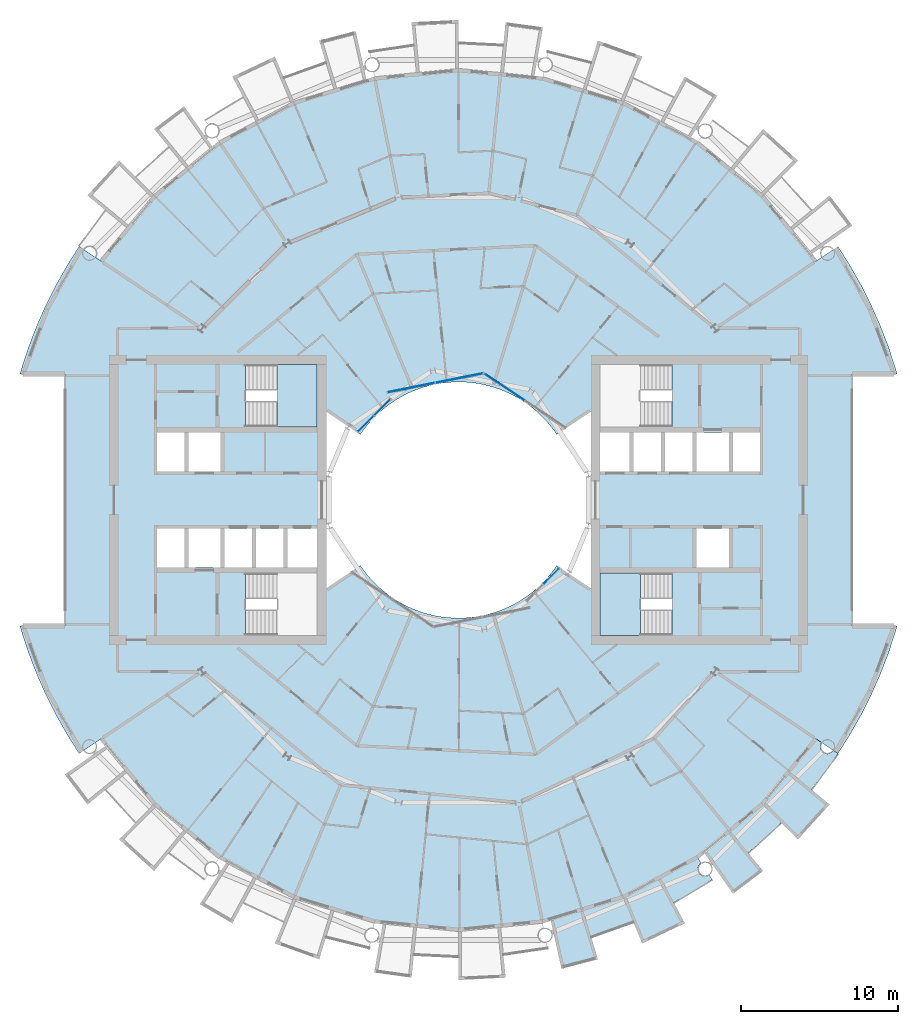
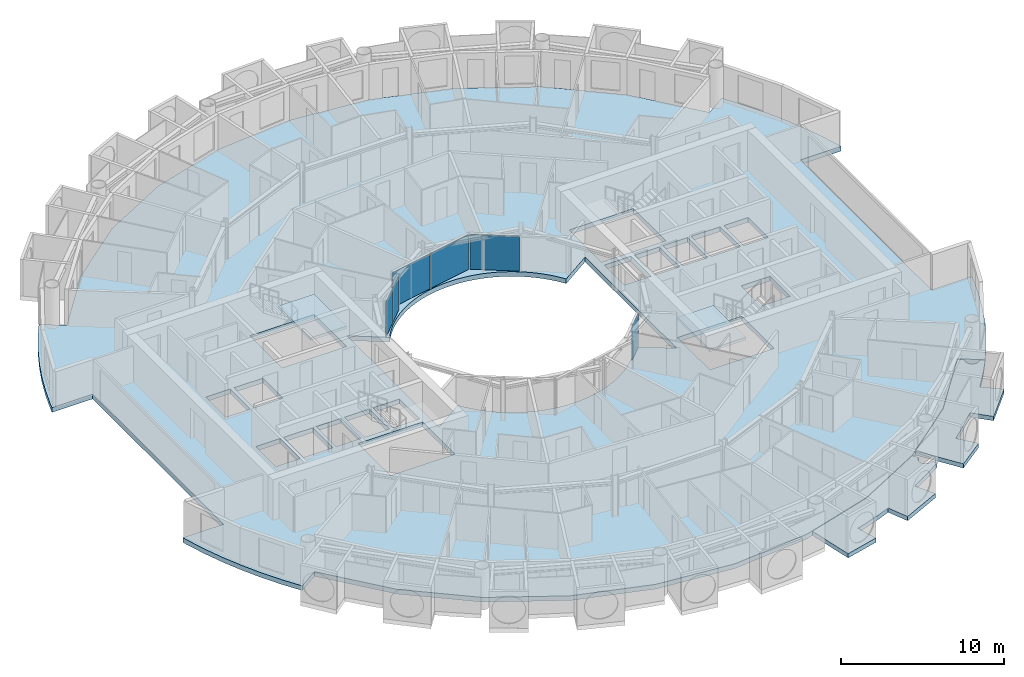
# One storey, part 11 of 27: 6 plates, 5 slabs, 6 elements without a shape of their own.
"""IFC4 building model written with IfcOpenShell, lengths in metres."""

from ifc_helpers import new_model, si_unit, direction, frame, origin, origin_2d, place, context, subcontext, project, spatial, polyline, rectangle, outline, extrude, material, layer, layer_set, type_object, element, aggregate, save


model = new_model("IFC4")

# Units and contexts
model_context = context("Model", 3, precision=1e-05, world=origin(), true_north=direction((0.0, 1.0)))
body_context = subcontext(model_context, "Body", "Model", "MODEL_VIEW")
ifc_project = project(units=[si_unit("LENGTHUNIT", "METRE"), si_unit("AREAUNIT", "SQUARE_METRE"), si_unit("VOLUMEUNIT", "CUBIC_METRE"), si_unit("PLANEANGLEUNIT", "RADIAN"), si_unit("MASSUNIT", "GRAM", prefix="KILO")], contexts=[model_context])

# Site, building, storey
site_placement = place(None, origin())
site = spatial("IfcSite", under=ifc_project, at=site_placement, CompositionType="ELEMENT")
building_placement = place(site_placement, origin())
building = spatial("IfcBuilding", under=site, at=building_placement, Name="Maasbend Ring Residences", CompositionType="ELEMENT")
storey_placement = place(building_placement, frame((0.0, 0.0, 111.64990234375)))
storey = spatial("IfcBuildingStorey", under=building, at=storey_placement, Name="L31", CompositionType="ELEMENT", Elevation=111.64990234375)

# Stair, slab
ifc_material_1 = material(Name="Concrete C40/50", Category="concrete")
stair_type = type_object("IfcStairType", Name="CORE STAIR 18 RISERS", PredefinedType="HALF_TURN_STAIR", material=ifc_material_1)
stair_1_placement = place(storey_placement, origin())
stair_1 = element("IfcStair", 1, at=stair_1_placement, inside=storey, type_object=stair_type, Name="L31 Exit stair ST-E2", PredefinedType="HALF_TURN_STAIR")
ifc_material_2 = material(Name="Concrete C40/50", Category="concrete")
ifc_layer_1 = layer(ifc_material_2, 0.199951171875)
ifc_layer_set_1 = layer_set([ifc_layer_1], Name="Concrete C40/50")
slab_type_1 = type_object("IfcSlabType", Name="CORE STAIR LANDING 200", PredefinedType="LANDING", material=ifc_layer_set_1)
slab_1_placement = place(storey_placement, frame((0.0, 0.0, 1.3251953125)))
slab_1 = element("IfcSlab", 2, at=slab_1_placement, type_object=slab_type_1, Name="ST-E2 landing 1", PredefinedType="LANDING", context=body_context, shape_type="SweptSolid", body=[
    extrude(outline(polyline([(11.550048828125, -4.64990234375), (9.0, -4.64990234375), (9.0, -8.60009765625), (11.550048828125, -8.60009765625), (11.550048828125, -4.64990234375)])), origin(), (0.0, 0.0, 1.0), 0.199951171875),
])
aggregate(stair_1, [slab_1])

stair_2_placement = place(storey_placement, origin())
stair_2 = element("IfcStair", 3, at=stair_2_placement, inside=storey, type_object=stair_type, Name="L31 Exit stair ST-W2", PredefinedType="HALF_TURN_STAIR")
slab_2_placement = place(storey_placement, frame((0.0, 0.0, 1.3251953125)))
slab_2 = element("IfcSlab", 4, at=slab_2_placement, type_object=slab_type_1, Name="ST-W2 landing 1", PredefinedType="LANDING", context=body_context, shape_type="SweptSolid", body=[
    extrude(outline(polyline([(-11.550048828125, 4.64990234375), (-9.0, 4.64990234375), (-9.0, 8.60009765625), (-11.550048828125, 8.60009765625), (-11.550048828125, 4.64990234375)])), origin(), (0.0, 0.0, 1.0), 0.199951171875),
])
aggregate(stair_2, [slab_2])

# Curtain wall, plate
ifc_material_3 = material(Name="Aluminium and clear glass", Category="aluminium")
ifc_layer_2 = layer(ifc_material_3, 0.179931640625)
ifc_layer_set_2 = layer_set([ifc_layer_2], Name="CW-W")
curtain_wall_type = type_object("IfcCurtainWallType", Name="CW-W", PredefinedType="NOTDEFINED", material=ifc_layer_set_2)
curtain_wall_1_placement = place(storey_placement, origin())
curtain_wall_1 = element("IfcCurtainWall", 5, at=curtain_wall_1_placement, inside=storey, type_object=curtain_wall_type, Name="Well curtain wall N1", PredefinedType="NOTDEFINED")
ifc_material_4 = material(Name="Glass clear laminated", Category="glass")
ifc_layer_3 = layer(ifc_material_4, 0.031982421875)
ifc_layer_set_3 = layer_set([ifc_layer_3], Name="CWP-W")
plate_type = type_object("IfcPlateType", Name="CWP-W", PredefinedType="CURTAIN_PANEL", material=ifc_layer_set_3)
plate_1_placement = place(storey_placement, frame((2.922119140625, 7.17578125, 0.0), z_axis=(0.0, 0.0, 1.0), x_axis=(-0.831469612303, 0.55557023302, 0.0)))
plate_1 = element("IfcPlate", 6, at=plate_1_placement, type_object=plate_type, Name="Glass panel well face", PredefinedType="CURTAIN_PANEL", context=body_context, shape_type="SweptSolid", body=[
    extrude(rectangle(XDim=3.053955078125, YDim=0.031982421875, at=origin_2d()), origin(), (0.0, 0.0, 1.0), 2.580078125),
])
aggregate(curtain_wall_1, [plate_1])

# Curtain wall, plates
curtain_wall_2_placement = place(storey_placement, origin())
curtain_wall_2 = element("IfcCurtainWall", 7, at=curtain_wall_2_placement, inside=storey, type_object=curtain_wall_type, Name="Well curtain wall N2", PredefinedType="NOTDEFINED")
plate_2_placement = place(storey_placement, frame((0.04638671875, 7.747802734375, 0.0), z_axis=(0.0, 0.0, 1.0), x_axis=(-0.980785280403, -0.195090322016, 0.0)))
plate_2 = element("IfcPlate", 8, at=plate_2_placement, type_object=plate_type, Name="Glass panel well face", PredefinedType="CURTAIN_PANEL", context=body_context, shape_type="SweptSolid", body=[
    extrude(rectangle(XDim=3.053955078125, YDim=0.031982421875, at=origin_2d()), origin(), (0.0, 0.0, 1.0), 2.580078125),
])
plate_3_placement = place(storey_placement, frame((-3.0078125, 7.140380859375, 0.0), z_axis=(0.0, 0.0, 1.0), x_axis=(-0.980785280403, -0.195090322016, 0.0)))
plate_3 = element("IfcPlate", 9, at=plate_3_placement, type_object=plate_type, Name="Glass panel well face", PredefinedType="CURTAIN_PANEL", context=body_context, shape_type="SweptSolid", body=[
    extrude(rectangle(XDim=3.053955078125, YDim=0.031982421875, at=origin_2d()), origin(), (0.0, 0.0, 1.0), 2.580078125),
])
aggregate(curtain_wall_2, [plate_2, plate_3])

curtain_wall_3_placement = place(storey_placement, origin())
curtain_wall_3 = element("IfcCurtainWall", 10, at=curtain_wall_3_placement, inside=storey, type_object=curtain_wall_type, Name="Well curtain wall N3", PredefinedType="NOTDEFINED")
plate_4_placement = place(storey_placement, frame((-4.84375, 5.89013671875, 0.0), z_axis=(0.0, 0.0, 1.0), x_axis=(-0.707106781187, -0.707106781187, 0.0)))
plate_4 = element("IfcPlate", 11, at=plate_4_placement, type_object=plate_type, Name="Glass panel well face", PredefinedType="CURTAIN_PANEL", context=body_context, shape_type="SweptSolid", body=[
    extrude(rectangle(XDim=1.419677734375, YDim=0.031982421875, at=origin_2d()), origin(), (0.0, 0.0, 1.0), 2.580078125),
])
plate_5_placement = place(storey_placement, frame((-5.89013671875, 4.84375, 0.0), z_axis=(0.0, 0.0, 1.0), x_axis=(-0.707106781187, -0.707106781187, 0.0)))
plate_5 = element("IfcPlate", 12, at=plate_5_placement, type_object=plate_type, Name="Glass panel well face", PredefinedType="CURTAIN_PANEL", context=body_context, shape_type="SweptSolid", body=[
    extrude(rectangle(XDim=1.419677734375, YDim=0.031982421875, at=origin_2d()), origin(), (0.0, 0.0, 1.0), 2.580078125),
])
aggregate(curtain_wall_3, [plate_4, plate_5])

# Curtain wall, plate
curtain_wall_4_placement = place(storey_placement, origin())
curtain_wall_4 = element("IfcCurtainWall", 13, at=curtain_wall_4_placement, inside=storey, type_object=curtain_wall_type, Name="Well curtain wall S3", PredefinedType="NOTDEFINED")
plate_6_placement = place(storey_placement, frame((5.89013671875, -4.84375, 0.0), z_axis=(0.0, 0.0, 1.0), x_axis=(0.707106781187, 0.707106781187, 0.0)))
plate_6 = element("IfcPlate", 14, at=plate_6_placement, type_object=plate_type, Name="Glass panel well face", PredefinedType="CURTAIN_PANEL", context=body_context, shape_type="SweptSolid", body=[
    extrude(rectangle(XDim=1.419677734375, YDim=0.031982421875, at=origin_2d()), origin(), (0.0, 0.0, 1.0), 2.580078125),
])
aggregate(curtain_wall_4, [plate_6])

# Slabs
ifc_material_5 = material(Name="Concrete C40/50", Category="concrete")
ifc_layer_4 = layer(ifc_material_5, 0.35009765625)
ifc_layer_set_4 = layer_set([ifc_layer_4], Name="Concrete C40/50")
slab_type_2 = type_object("IfcSlabType", Name="Post-tensioned flat plate 350", PredefinedType="FLOOR", material=ifc_layer_set_4)
slab_3_placement = place(storey_placement, frame((0.0, 0.0, -0.349853515625)))
element("IfcSlab", 15, at=slab_3_placement, inside=storey, type_object=slab_type_2, Name="Floor slab L31", PredefinedType="FLOOR", context=body_context, shape_type="SweptSolid", body=[
    extrude(outline(polyline([(24.8740234375, -14.908935546875), (25.57568359375, -13.67041015625), (26.2158203125, -12.399169921875), (26.79248046875, -11.097900390625), (27.3046875, -9.769775390625), (27.751220703125, -8.418212890625), (27.866943359375, -8.0), (25.0, -8.0), (25.0, 8.0), (27.866943359375, 8.0), (27.751220703125, 8.418212890625), (27.3046875, 9.769775390625), (26.79248046875, 11.097900390625), (26.2158203125, 12.399169921875), (25.57568359375, 13.67041015625), (24.8740234375, 14.908935546875), (24.112548828125, 16.111572265625), (22.69921875, 15.1669921875), (19.303955078125, 19.303955078125), (15.1669921875, 22.69921875), (10.447265625, 25.221923828125), (5.325927734375, 26.775390625), (0.0, 27.300048828125), (-5.325927734375, 26.775390625), (-10.447265625, 25.221923828125), (-15.1669921875, 22.69921875), (-19.303955078125, 19.303955078125), (-22.69921875, 15.1669921875), (-24.112548828125, 16.111572265625), (-24.8740234375, 14.908935546875), (-25.57568359375, 13.67041015625), (-26.2158203125, 12.399169921875), (-26.79248046875, 11.097900390625), (-27.3046875, 9.769775390625), (-27.751220703125, 8.418212890625), (-27.866943359375, 8.0), (-25.0, 8.0), (-25.0, -8.0), (-27.866943359375, -8.0), (-27.751220703125, -8.418212890625), (-27.3046875, -9.769775390625), (-26.79248046875, -11.097900390625), (-26.2158203125, -12.399169921875), (-25.57568359375, -13.67041015625), (-24.8740234375, -14.908935546875), (-24.112548828125, -16.111572265625), (-22.69921875, -15.1669921875), (-19.303955078125, -19.303955078125), (-15.1669921875, -22.69921875), (-10.447265625, -25.221923828125), (-5.325927734375, -26.775390625), (0.0, -27.300048828125), (5.325927734375, -26.775390625), (10.447265625, -25.221923828125), (15.1669921875, -22.69921875), (19.303955078125, -19.303955078125), (22.69921875, -15.1669921875), (24.112548828125, -16.111572265625), (24.8740234375, -14.908935546875)]), holes=[polyline([(17.425048828125, 4.27490234375), (19.14990234375, 4.27490234375), (19.14990234375, 1.824951171875), (17.425048828125, 1.824951171875), (17.425048828125, 4.27490234375)]), polyline([(15.125, 1.824951171875), (15.125, 4.27490234375), (17.175048828125, 4.27490234375), (17.175048828125, 1.824951171875), (15.125, 1.824951171875)]), polyline([(15.125, -4.27490234375), (15.125, -1.824951171875), (17.175048828125, -1.824951171875), (17.175048828125, -4.27490234375), (15.125, -4.27490234375)]), polyline([(13.125, 1.824951171875), (13.125, 4.27490234375), (14.875, 4.27490234375), (14.875, 1.824951171875), (13.125, 1.824951171875)]), polyline([(13.550048828125, 4.64990234375), (9.0, 4.64990234375), (9.0, 8.60009765625), (13.550048828125, 8.60009765625), (13.550048828125, 4.64990234375)]), polyline([(13.550048828125, -4.64990234375), (13.550048828125, -8.60009765625), (9.0, -8.60009765625), (9.0, -4.64990234375), (13.550048828125, -4.64990234375)]), polyline([(11.125, 1.824951171875), (11.125, 4.27490234375), (12.875, 4.27490234375), (12.875, 1.824951171875), (11.125, 1.824951171875)]), polyline([(9.0, 1.824951171875), (9.0, 4.27490234375), (10.875, 4.27490234375), (10.875, 1.824951171875), (9.0, 1.824951171875)]), polyline([(6.024169921875, 4.4677734375), (6.236083984375, 4.166748046875), (8.39990234375, 5.61279296875), (8.39990234375, -5.61279296875), (6.236083984375, -4.166748046875), (6.024169921875, -4.4677734375), (5.797607421875, -4.7578125), (5.55712890625, -5.03662109375), (5.30322265625, -5.30322265625), (5.03662109375, -5.55712890625), (4.7578125, -5.797607421875), (4.4677734375, -6.024169921875), (4.166748046875, -6.236083984375), (3.855712890625, -6.43310546875), (3.535400390625, -6.614501953125), (3.206787109375, -6.77978515625), (2.8701171875, -6.92919921875), (2.526611328125, -7.0615234375), (2.177001953125, -7.177001953125), (1.822509765625, -7.275146484375), (1.463134765625, -7.35595703125), (1.1005859375, -7.418701171875), (0.735107421875, -7.4638671875), (0.367919921875, -7.490966796875), (0.0, -7.5), (-0.367919921875, -7.490966796875), (-0.735107421875, -7.4638671875), (-1.1005859375, -7.418701171875), (-1.463134765625, -7.35595703125), (-1.822509765625, -7.275146484375), (-2.177001953125, -7.177001953125), (-2.526611328125, -7.0615234375), (-2.8701171875, -6.92919921875), (-3.206787109375, -6.77978515625), (-3.535400390625, -6.614501953125), (-3.855712890625, -6.43310546875), (-4.166748046875, -6.236083984375), (-4.4677734375, -6.024169921875), (-4.7578125, -5.797607421875), (-5.03662109375, -5.55712890625), (-5.30322265625, -5.30322265625), (-5.55712890625, -5.03662109375), (-5.797607421875, -4.7578125), (-6.024169921875, -4.4677734375), (-6.236083984375, -4.166748046875), (-8.39990234375, -5.61279296875), (-8.39990234375, 5.61279296875), (-6.236083984375, 4.166748046875), (-6.236083984375, 4.166748046875), (-6.024169921875, 4.4677734375), (-5.797607421875, 4.7578125), (-5.55712890625, 5.03662109375), (-5.30322265625, 5.30322265625), (-5.03662109375, 5.55712890625), (-4.7578125, 5.797607421875), (-4.4677734375, 6.024169921875), (-4.166748046875, 6.236083984375), (-3.855712890625, 6.43310546875), (-3.535400390625, 6.614501953125), (-3.206787109375, 6.77978515625), (-2.8701171875, 6.92919921875), (-2.526611328125, 7.0615234375), (-2.177001953125, 7.177001953125), (-1.822509765625, 7.275146484375), (-1.463134765625, 7.35595703125), (-1.1005859375, 7.418701171875), (-0.735107421875, 7.4638671875), (-0.367919921875, 7.490966796875), (0.0, 7.5), (0.367919921875, 7.490966796875), (0.735107421875, 7.4638671875), (1.1005859375, 7.418701171875), (1.463134765625, 7.35595703125), (1.822509765625, 7.275146484375), (2.177001953125, 7.177001953125), (2.526611328125, 7.0615234375), (2.8701171875, 6.92919921875), (3.206787109375, 6.77978515625), (3.535400390625, 6.614501953125), (3.855712890625, 6.43310546875), (4.166748046875, 6.236083984375), (4.4677734375, 6.024169921875), (4.7578125, 5.797607421875), (5.03662109375, 5.55712890625), (5.30322265625, 5.30322265625), (5.55712890625, 5.03662109375), (5.797607421875, 4.7578125), (6.024169921875, 4.4677734375)]), polyline([(-13.550048828125, 4.64990234375), (-13.550048828125, 8.60009765625), (-9.0, 8.60009765625), (-9.0, 4.64990234375), (-13.550048828125, 4.64990234375)]), polyline([(-13.550048828125, -8.60009765625), (-13.550048828125, -4.64990234375), (-9.0, -4.64990234375), (-9.0, -8.60009765625), (-13.550048828125, -8.60009765625)]), polyline([(-9.0, -1.824951171875), (-9.0, -4.27490234375), (-10.875, -4.27490234375), (-10.875, -1.824951171875), (-9.0, -1.824951171875)]), polyline([(-11.125, -1.824951171875), (-11.125, -4.27490234375), (-12.875, -4.27490234375), (-12.875, -1.824951171875), (-11.125, -1.824951171875)]), polyline([(-13.125, -1.824951171875), (-13.125, -4.27490234375), (-14.875, -4.27490234375), (-14.875, -1.824951171875), (-13.125, -1.824951171875)]), polyline([(-15.125, 4.27490234375), (-15.125, 1.824951171875), (-17.175048828125, 1.824951171875), (-17.175048828125, 4.27490234375), (-15.125, 4.27490234375)]), polyline([(-15.125, -1.824951171875), (-15.125, -4.27490234375), (-17.175048828125, -4.27490234375), (-17.175048828125, -1.824951171875), (-15.125, -1.824951171875)]), polyline([(-17.425048828125, -1.824951171875), (-17.425048828125, -4.27490234375), (-19.14990234375, -4.27490234375), (-19.14990234375, -1.824951171875), (-17.425048828125, -1.824951171875)]), polyline([(-17.425048828125, 4.27490234375), (-17.425048828125, 1.824951171875), (-19.14990234375, 1.824951171875), (-19.14990234375, 4.27490234375), (-17.425048828125, 4.27490234375)])]), origin(), (0.0, 0.0, 1.0), 0.349853515625),
])
ifc_material_6 = material(Name="Concrete C40/50", Category="concrete")
ifc_layer_5 = layer(ifc_material_6, 0.199951171875)
ifc_layer_set_5 = layer_set([ifc_layer_5], Name="Concrete C40/50")
slab_type_3 = type_object("IfcSlabType", Name="SL-LOGGIA", PredefinedType="FLOOR", material=ifc_layer_set_5)
slab_4_placement = place(storey_placement, frame((0.0, 0.0, -0.349853515625)))
element("IfcSlab", 16, at=slab_4_placement, inside=storey, type_object=slab_type_3, Name="Loggia floor 1", PredefinedType="FLOOR", context=body_context, shape_type="SweptSolid", body=[
    extrude(outline(polyline([(10.447021484375, -25.221923828125), (12.806884765625, -23.9609375), (15.1669921875, -22.698974609375), (15.1669921875, -22.698974609375), (15.1669921875, -22.698974609375), (15.4130859375, -23.06689453125), (15.404052734375, -23.073974609375), (15.39501953125, -23.080078125), (15.385986328125, -23.0869140625), (15.376953125, -23.093994140625), (15.368896484375, -23.10107421875), (15.360107421875, -23.10888671875), (15.35205078125, -23.115966796875), (15.343994140625, -23.1240234375), (15.3359375, -23.132080078125), (15.327880859375, -23.139892578125), (15.321044921875, -23.14892578125), (15.31396484375, -23.156982421875), (15.306884765625, -23.166015625), (15.300048828125, -23.175048828125), (15.29296875, -23.18408203125), (15.287109375, -23.194091796875), (15.281005859375, -23.202880859375), (15.27490234375, -23.2119140625), (15.26904296875, -23.221923828125), (15.263916015625, -23.23193359375), (15.259033203125, -23.241943359375), (15.25390625, -23.251953125), (15.2490234375, -23.261962890625), (15.2451171875, -23.27294921875), (15.240966796875, -23.282958984375), (15.237060546875, -23.29296875), (15.23291015625, -23.303955078125), (15.22998046875, -23.31494140625), (15.22705078125, -23.325927734375), (15.22412109375, -23.3359375), (15.220947265625, -23.346923828125), (15.218994140625, -23.35791015625), (15.217041015625, -23.368896484375), (15.215087890625, -23.3798828125), (15.214111328125, -23.39111328125), (15.2119140625, -23.403076171875), (15.2109375, -23.4140625), (15.2109375, -23.425048828125), (15.2099609375, -23.43603515625), (15.2099609375, -23.447021484375), (15.2099609375, -23.458984375), (15.2109375, -23.469970703125), (15.2109375, -23.48095703125), (15.2119140625, -23.491943359375), (15.214111328125, -23.5029296875), (15.215087890625, -23.513916015625), (15.217041015625, -23.52587890625), (15.218994140625, -23.537109375), (15.220947265625, -23.548095703125), (15.22412109375, -23.55810546875), (15.22705078125, -23.569091796875), (15.22998046875, -23.580078125), (15.23291015625, -23.591064453125), (15.237060546875, -23.60107421875), (15.240966796875, -23.612060546875), (15.2451171875, -23.6220703125), (15.2490234375, -23.633056640625), (15.25390625, -23.64306640625), (15.259033203125, -23.653076171875), (15.263916015625, -23.6630859375), (15.26904296875, -23.673095703125), (15.27490234375, -23.681884765625), (15.281005859375, -23.69189453125), (15.287109375, -23.700927734375), (15.29296875, -23.7109375), (15.300048828125, -23.719970703125), (15.306884765625, -23.72900390625), (15.31396484375, -23.737060546875), (15.321044921875, -23.74609375), (15.327880859375, -23.75390625), (15.3359375, -23.762939453125), (15.343994140625, -23.77099609375), (15.35205078125, -23.778076171875), (15.360107421875, -23.785888671875), (15.368896484375, -23.79296875), (15.376953125, -23.801025390625), (15.385986328125, -23.80810546875), (15.39501953125, -23.81396484375), (15.404052734375, -23.821044921875), (15.4130859375, -23.826904296875), (15.423095703125, -23.8330078125), (15.431884765625, -23.839111328125), (15.44189453125, -23.844970703125), (15.451904296875, -23.85009765625), (15.4619140625, -23.85595703125), (15.471923828125, -23.861083984375), (15.48193359375, -23.864990234375), (15.491943359375, -23.8701171875), (15.5029296875, -23.8740234375), (15.512939453125, -23.8779296875), (15.52392578125, -23.881103515625), (15.533935546875, -23.885009765625), (15.544921875, -23.887939453125), (15.555908203125, -23.89111328125), (15.56689453125, -23.89306640625), (15.577880859375, -23.89599609375), (15.589111328125, -23.89794921875), (15.60009765625, -23.89892578125), (15.611083984375, -23.90087890625), (15.6220703125, -23.902099609375), (15.633056640625, -23.903076171875), (15.64501953125, -23.904052734375), (15.656005859375, -23.904052734375), (15.6669921875, -23.904052734375), (15.677978515625, -23.904052734375), (15.68994140625, -23.904052734375), (15.700927734375, -23.903076171875), (15.7119140625, -23.902099609375), (15.722900390625, -23.90087890625), (15.73388671875, -23.89892578125), (15.7451171875, -23.89794921875), (15.756103515625, -23.89599609375), (15.76708984375, -23.89306640625), (15.778076171875, -23.89111328125), (15.7890625, -23.887939453125), (15.800048828125, -23.885009765625), (15.81005859375, -23.881103515625), (15.821044921875, -23.8779296875), (15.83203125, -23.8740234375), (15.842041015625, -23.8701171875), (15.85205078125, -23.864990234375), (15.862060546875, -23.861083984375), (15.873046875, -23.85595703125), (15.883056640625, -23.85009765625), (15.89208984375, -23.844970703125), (15.902099609375, -23.839111328125), (15.912109375, -23.8330078125), (15.9208984375, -23.826904296875), (16.112060546875, -24.113037109375), (16.112060546875, -24.113037109375), (16.112060546875, -24.113037109375), (15.31396484375, -24.626953125), (15.31396484375, -24.626953125), (14.5, -25.114990234375), (14.5, -25.114990234375), (13.6708984375, -25.574951171875), (13.6708984375, -25.575927734375), (13.6708984375, -25.575927734375), (13.6708984375, -25.575927734375), (13.6708984375, -25.575927734375), (13.6708984375, -25.575927734375), (13.6708984375, -25.575927734375), (13.6708984375, -25.575927734375), (13.6708984375, -25.575927734375), (13.6708984375, -25.575927734375), (13.6708984375, -25.575927734375), (13.6708984375, -25.575927734375), (13.6708984375, -25.575927734375), (13.6708984375, -25.575927734375), (13.6708984375, -25.575927734375), (13.6708984375, -25.575927734375), (13.6708984375, -25.575927734375), (14.3779296875, -26.89892578125), (14.3779296875, -26.89892578125), (14.3779296875, -26.89892578125), (11.672119140625, -28.177978515625), (11.672119140625, -28.177978515625), (11.672119140625, -28.177978515625), (11.097900390625, -26.79296875), (11.097900390625, -26.79296875), (11.097900390625, -26.79296875), (11.097900390625, -26.79296875), (11.097900390625, -26.79296875), (11.097900390625, -26.79296875), (11.097900390625, -26.79296875), (11.097900390625, -26.79296875), (11.097900390625, -26.79296875), (11.097900390625, -26.79296875), (11.097900390625, -26.79296875), (11.097900390625, -26.79296875), (11.097900390625, -26.79296875), (11.097900390625, -26.79296875), (11.096923828125, -26.79296875), (11.096923828125, -26.79296875), (11.096923828125, -26.79296875), (10.215087890625, -27.14111328125), (10.215087890625, -27.14111328125), (9.322021484375, -27.4609375), (9.322021484375, -27.4609375), (8.4189453125, -27.7509765625), (8.4189453125, -27.7509765625), (8.4189453125, -27.7509765625), (8.4189453125, -27.7509765625), (8.4189453125, -27.7509765625), (8.4189453125, -27.7509765625), (8.41796875, -27.7509765625), (8.41796875, -27.7509765625), (8.41796875, -27.7509765625), (8.41796875, -27.7509765625), (8.41796875, -27.7509765625), (8.41796875, -27.751953125), (8.41796875, -27.751953125), (8.41796875, -27.751953125), (8.41796875, -27.751953125), (8.41796875, -27.751953125), (8.41796875, -27.751953125), (8.85400390625, -29.18701171875), (8.85400390625, -29.18701171875), (8.85400390625, -29.18701171875), (6.5400390625, -29.791015625), (6.5400390625, -29.791015625), (6.5400390625, -29.791015625), (5.843994140625, -26.617919921875), (5.843994140625, -26.617919921875), (5.843994140625, -26.617919921875), (7.886962890625, -25.9990234375), (10.447021484375, -25.221923828125), (10.447021484375, -25.221923828125), (10.447021484375, -25.221923828125)])), origin(), (0.0, 0.0, 1.0), 0.320068359375),
])
slab_5_placement = place(storey_placement, frame((0.0, 0.0, -0.349853515625)))
element("IfcSlab", 17, at=slab_5_placement, inside=storey, type_object=slab_type_3, Name="Loggia floor 4", PredefinedType="FLOOR", context=body_context, shape_type="SweptSolid", body=[
    extrude(outline(polyline([(19.303955078125, -19.303955078125), (21.001953125, -17.236083984375), (22.698974609375, -15.1669921875), (22.698974609375, -15.1669921875), (22.698974609375, -15.1669921875), (23.06689453125, -15.4130859375), (23.06689453125, -15.4130859375), (23.06103515625, -15.423095703125), (23.054931640625, -15.431884765625), (23.050048828125, -15.44189453125), (23.0439453125, -15.451904296875), (23.0390625, -15.4619140625), (23.033935546875, -15.471923828125), (23.030029296875, -15.48193359375), (23.02490234375, -15.491943359375), (23.02099609375, -15.5029296875), (23.01708984375, -15.512939453125), (23.012939453125, -15.52392578125), (23.010009765625, -15.533935546875), (23.007080078125, -15.544921875), (23.00390625, -15.555908203125), (23.001953125, -15.56689453125), (22.9990234375, -15.577880859375), (22.9970703125, -15.589111328125), (22.9951171875, -15.60009765625), (22.993896484375, -15.611083984375), (22.992919921875, -15.6220703125), (22.991943359375, -15.633056640625), (22.990966796875, -15.64501953125), (22.990966796875, -15.656005859375), (22.989990234375, -15.6669921875), (22.990966796875, -15.677978515625), (22.990966796875, -15.68994140625), (22.991943359375, -15.700927734375), (22.992919921875, -15.7119140625), (22.993896484375, -15.722900390625), (22.9951171875, -15.73388671875), (22.9970703125, -15.7451171875), (22.9990234375, -15.756103515625), (23.001953125, -15.76708984375), (23.00390625, -15.778076171875), (23.007080078125, -15.7890625), (23.010009765625, -15.800048828125), (23.012939453125, -15.81005859375), (23.01708984375, -15.821044921875), (23.02099609375, -15.83203125), (23.02490234375, -15.842041015625), (23.030029296875, -15.85205078125), (23.033935546875, -15.862060546875), (23.0390625, -15.873046875), (23.0439453125, -15.883056640625), (23.050048828125, -15.89208984375), (23.054931640625, -15.902099609375), (23.06103515625, -15.912109375), (23.06689453125, -15.9208984375), (23.073974609375, -15.929931640625), (23.080078125, -15.93896484375), (23.0869140625, -15.947998046875), (23.093994140625, -15.95703125), (23.10107421875, -15.966064453125), (23.10888671875, -15.97412109375), (23.115966796875, -15.98193359375), (23.1240234375, -15.989990234375), (23.132080078125, -15.998046875), (23.139892578125, -16.006103515625), (23.14892578125, -16.012939453125), (23.156982421875, -16.02001953125), (23.166015625, -16.027099609375), (23.175048828125, -16.033935546875), (23.18408203125, -16.041015625), (23.194091796875, -16.047119140625), (23.202880859375, -16.052978515625), (23.2119140625, -16.05908203125), (23.221923828125, -16.06494140625), (23.23193359375, -16.070068359375), (23.241943359375, -16.074951171875), (23.251953125, -16.080078125), (23.261962890625, -16.0849609375), (23.27294921875, -16.089111328125), (23.282958984375, -16.093017578125), (23.29296875, -16.096923828125), (23.303955078125, -16.10107421875), (23.31494140625, -16.10400390625), (23.325927734375, -16.10791015625), (23.3359375, -16.110107421875), (23.346923828125, -16.113037109375), (23.35791015625, -16.114990234375), (23.368896484375, -16.116943359375), (23.3798828125, -16.118896484375), (23.39111328125, -16.12109375), (23.403076171875, -16.1220703125), (23.4140625, -16.123046875), (23.425048828125, -16.1240234375), (23.43603515625, -16.1240234375), (23.447021484375, -16.1240234375), (23.458984375, -16.1240234375), (23.469970703125, -16.1240234375), (23.48095703125, -16.123046875), (23.491943359375, -16.1220703125), (23.5029296875, -16.12109375), (23.513916015625, -16.118896484375), (23.52587890625, -16.116943359375), (23.537109375, -16.114990234375), (23.548095703125, -16.113037109375), (23.55810546875, -16.110107421875), (23.569091796875, -16.10791015625), (23.580078125, -16.10400390625), (23.591064453125, -16.10107421875), (23.60107421875, -16.096923828125), (23.612060546875, -16.093017578125), (23.6220703125, -16.089111328125), (23.633056640625, -16.0849609375), (23.64306640625, -16.080078125), (23.653076171875, -16.074951171875), (23.6630859375, -16.070068359375), (23.673095703125, -16.06494140625), (23.681884765625, -16.05908203125), (23.69189453125, -16.052978515625), (23.700927734375, -16.047119140625), (23.7109375, -16.041015625), (23.719970703125, -16.033935546875), (23.72900390625, -16.027099609375), (23.737060546875, -16.02001953125), (23.74609375, -16.012939453125), (23.75390625, -16.006103515625), (23.762939453125, -15.998046875), (23.77099609375, -15.989990234375), (23.778076171875, -15.98193359375), (23.785888671875, -15.97412109375), (23.79296875, -15.966064453125), (23.801025390625, -15.95703125), (23.80810546875, -15.947998046875), (23.81396484375, -15.93896484375), (23.821044921875, -15.929931640625), (23.826904296875, -15.9208984375), (23.826904296875, -15.9208984375), (24.113037109375, -16.112060546875), (24.113037109375, -16.112060546875), (24.113037109375, -16.112060546875), (23.572998046875, -16.89208984375), (23.572998046875, -16.89208984375), (23.007080078125, -17.654052734375), (23.007080078125, -17.654052734375), (22.41796875, -18.39697265625), (22.41796875, -18.39697265625), (22.41796875, -18.39697265625), (22.41796875, -18.39697265625), (22.41796875, -18.39697265625), (22.41796875, -18.39697265625), (22.41796875, -18.39697265625), (22.41796875, -18.39697265625), (22.41796875, -18.39697265625), (22.41796875, -18.39697265625), (22.41796875, -18.39697265625), (22.41796875, -18.39794921875), (22.41796875, -18.39794921875), (22.41796875, -18.39794921875), (22.41796875, -18.39794921875), (22.41796875, -18.39794921875), (22.41796875, -18.39794921875), (23.576904296875, -19.34912109375), (23.576904296875, -19.34912109375), (23.576904296875, -19.34912109375), (21.56689453125, -21.56689453125), (21.56689453125, -21.56689453125), (21.56689453125, -21.56689453125), (20.506103515625, -20.506103515625), (20.506103515625, -20.506103515625), (20.506103515625, -20.506103515625), (20.506103515625, -20.506103515625), (20.506103515625, -20.506103515625), (20.506103515625, -20.506103515625), (20.506103515625, -20.506103515625), (20.506103515625, -20.506103515625), (20.506103515625, -20.506103515625), (20.506103515625, -20.506103515625), (20.506103515625, -20.506103515625), (20.506103515625, -20.506103515625), (20.506103515625, -20.506103515625), (20.506103515625, -20.506103515625), (20.506103515625, -20.506103515625), (20.506103515625, -20.506103515625), (20.506103515625, -20.506103515625), (19.823974609375, -21.166015625), (19.823974609375, -21.166015625), (19.12109375, -21.802978515625), (19.12109375, -21.802978515625), (18.39794921875, -22.4169921875), (18.39794921875, -22.4169921875), (18.39794921875, -22.4169921875), (18.39794921875, -22.4169921875), (18.39794921875, -22.4169921875), (18.39794921875, -22.4169921875), (18.39794921875, -22.4169921875), (18.39794921875, -22.4169921875), (18.39794921875, -22.4169921875), (18.39794921875, -22.4169921875), (18.39794921875, -22.4169921875), (18.39794921875, -22.4169921875), (18.39794921875, -22.41796875), (18.39794921875, -22.41796875), (18.39794921875, -22.41796875), (18.39794921875, -22.41796875), (18.39794921875, -22.41796875), (19.34912109375, -23.576904296875), (19.34912109375, -23.576904296875), (19.34912109375, -23.576904296875), (17.44189453125, -25.02001953125), (17.44189453125, -25.02001953125), (17.44189453125, -25.02001953125), (15.5849609375, -22.35595703125), (15.5849609375, -22.35595703125), (15.5849609375, -22.35595703125), (17.236083984375, -21.001953125), (19.303955078125, -19.303955078125), (19.303955078125, -19.303955078125), (19.303955078125, -19.303955078125)])), origin(), (0.0, 0.0, 1.0), 0.320068359375),
])

save(model, "model.ifc")
